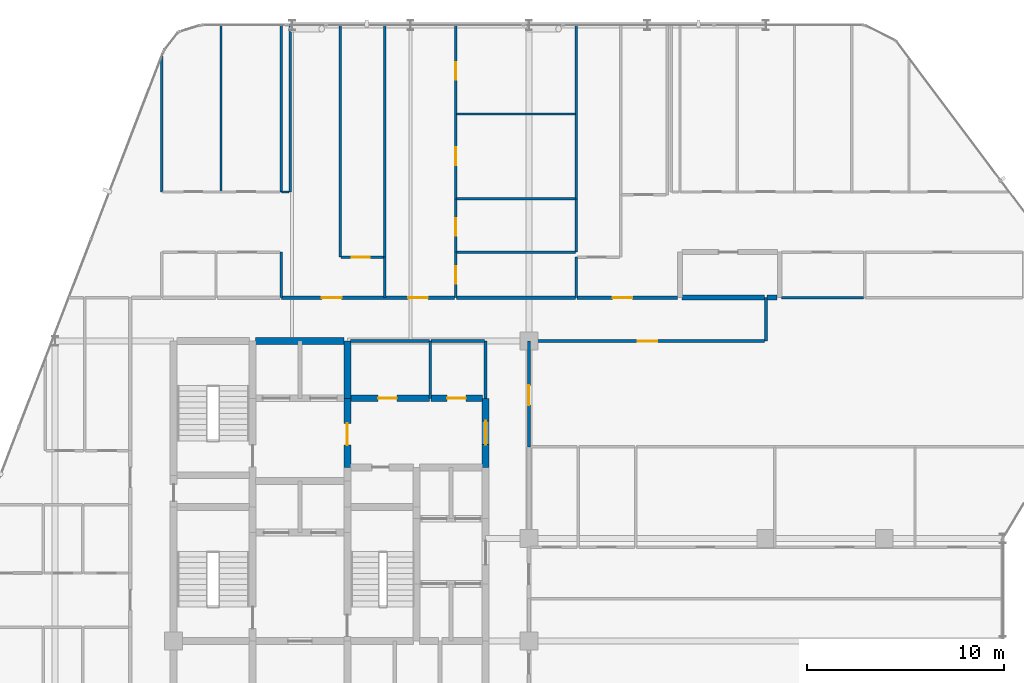
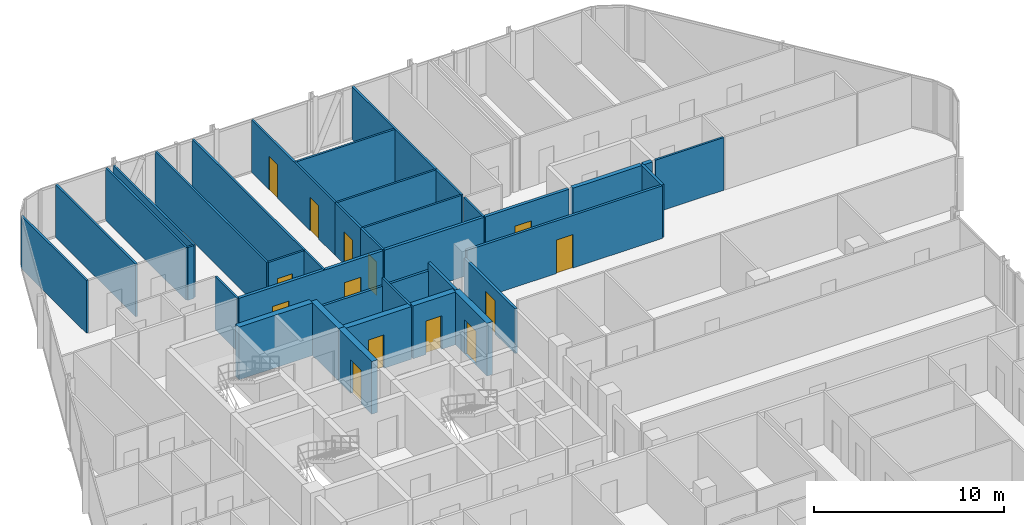
# One storey, part 29 of 31: 38 walls, 14 doors, 14 openings.
"""IFC4 building model written with IfcOpenShell, lengths in metres."""

from ifc_helpers import new_model, si_unit, direction, frame, frame_2d, origin, place, context, subcontext, project, spatial, rectangle, extrude, material, layer, layer_set, type_object, element, fill, save


model = new_model("IFC4")

# Units and contexts
model_context = context("Model", 3, precision=1e-05, world=origin(), true_north=direction((0.0, 1.0)))
body_context = subcontext(model_context, "Body", "Model", "MODEL_VIEW")
ifc_project = project(units=[si_unit("LENGTHUNIT", "METRE"), si_unit("AREAUNIT", "SQUARE_METRE"), si_unit("VOLUMEUNIT", "CUBIC_METRE"), si_unit("PLANEANGLEUNIT", "RADIAN"), si_unit("MASSUNIT", "GRAM", prefix="KILO")], contexts=[model_context])

# Site, building, storey
site_placement = place(None, origin())
site = spatial("IfcSite", under=ifc_project, at=site_placement, CompositionType="ELEMENT")
building_placement = place(site_placement, origin())
building = spatial("IfcBuilding", under=site, at=building_placement, Name="Keshet Zoharim Tower", CompositionType="ELEMENT")
storey_placement = place(building_placement, frame((0.0, 0.0, 133.5)))
storey = spatial("IfcBuildingStorey", under=building, at=storey_placement, Name="L32", CompositionType="ELEMENT", Elevation=133.5)

# Wall
ifc_material_1 = material(Name="Gypsum Plasterboard", Category="gypsum")
ifc_layer_1 = layer(ifc_material_1, 0.14990234375)
ifc_layer_set_1 = layer_set([ifc_layer_1], Name="Gypsum Plasterboard")
wall_type_1 = type_object("IfcWallType", Name="WL-CLIN-150", PredefinedType="STANDARD", material=ifc_layer_set_1)
wall_1_placement = place(storey_placement, frame((30.800048828125, 35.0, 0.0), z_axis=(0.0, 0.0, 1.0), x_axis=(0.0, 1.0, 0.0)))
element("IfcWall", 1, at=wall_1_placement, inside=storey, type_object=wall_type_1, Name="L32 Interior Wall 064", PredefinedType="STANDARD", context=body_context, shape_type="SweptSolid", body=[
    extrude(rectangle(XDim=2.89990234375, YDim=0.14990234375, at=frame_2d((1.449951171875, 0.0))), origin(), (0.0, 0.0, 1.0), 3.385009765625),
])

# Wall, opening, door
wall_2_placement = place(storey_placement, frame((33.0, 32.5400390625, 0.0), z_axis=(0.0, 0.0, 1.0), x_axis=(0.0, 1.0, 0.0)))
wall_2 = element("IfcWall", 2, at=wall_2_placement, inside=storey, type_object=wall_type_1, Name="L32 Interior Wall 071", PredefinedType="STANDARD", context=body_context, shape_type="SweptSolid", body=[
    extrude(rectangle(XDim=5.35986328125, YDim=0.14990234375, at=frame_2d((2.679931640625, 0.0))), origin(), (0.0, 0.0, 1.0), 2.885009765625),
])
opening_1_placement = place(wall_2_placement, frame((2.10888671875, 0.0, 0.0)))
opening_1 = element("IfcOpeningElement", 3, at=opening_1_placement, cuts=wall_2, Name="Opening D-F310", PredefinedType="OPENING", context=body_context, shape_type="SweptSolid", body=[
    extrude(rectangle(XDim=1.0, YDim=2.14990234375, at=frame_2d((0.5, 1.074951171875))), frame((0.0, 0.0849609375, 0.0), z_axis=(0.0, -1.0, 0.0), x_axis=(1.0, 0.0, 0.0)), (0.0, 0.0, 1.0), 0.169921875),
])
ifc_material_2 = material(Name="Hardwood Timber", Category="wood")
door_type_1 = type_object("IfcDoorType", Name="DR-FD30-100", OperationType="NOTDEFINED", PredefinedType="DOOR", material=ifc_material_2)
door_1_placement = place(opening_1_placement, origin())
door_1 = element("IfcDoor", 4, at=door_1_placement, inside=storey, type_object=door_type_1, Name="L32 North East Residents Services Suite Door 2", OperationType="SINGLE_SWING_LEFT", OverallHeight=2.14990234375, OverallWidth=1.0, PredefinedType="DOOR", context=body_context, shape_type="SweptSolid", body=[
    extrude(rectangle(XDim=1.0, YDim=2.14990234375, at=frame_2d((0.5, 1.074951171875))), frame((0.0, 0.02490234375, 0.0), z_axis=(0.0, -1.0, 0.0), x_axis=(1.0, 0.0, 0.0)), (0.0, 0.0, 1.0), 0.050048828125),
])
fill(opening_1, door_1)

# Walls
wall_3_placement = place(storey_placement, frame((45.0, 37.89990234375, 0.0), z_axis=(0.0, 0.0, 1.0), x_axis=(0.0, 1.0, 0.0)))
element("IfcWall", 5, at=wall_3_placement, inside=storey, type_object=wall_type_1, Name="L32 Interior Wall 092", PredefinedType="STANDARD", context=body_context, shape_type="SweptSolid", body=[
    extrude(rectangle(XDim=2.2001953125, YDim=0.14990234375, at=frame_2d((1.10009765625, 0.0))), origin(), (0.0, 0.0, 1.0), 3.385009765625),
])
wall_4_placement = place(storey_placement, frame((23.9599609375, 37.89990234375, 0.0), z_axis=(0.0, 0.0, 1.0), x_axis=(1.0, 0.0, 0.0)))
element("IfcWall", 6, at=wall_4_placement, inside=storey, type_object=wall_type_1, Name="L32 Interior Wall 180", PredefinedType="STANDARD", context=body_context, shape_type="SweptSolid", body=[
    extrude(rectangle(XDim=3.9951171875, YDim=0.14990234375, at=frame_2d((1.99755859375, 0.0))), origin(), (0.0, 0.0, 1.0), 2.885009765625),
])
wall_5_placement = place(storey_placement, frame((28.044921875, 37.89990234375, 0.0), z_axis=(0.0, 0.0, 1.0), x_axis=(1.0, 0.0, 0.0)))
element("IfcWall", 7, at=wall_5_placement, inside=storey, type_object=wall_type_1, Name="L32 Interior Wall 181", PredefinedType="STANDARD", context=body_context, shape_type="SweptSolid", body=[
    extrude(rectangle(XDim=2.695068359375, YDim=0.14990234375, at=frame_2d((1.34765625, 0.0))), origin(), (0.0, 0.0, 1.0), 2.885009765625),
])

# Wall, opening, door
wall_6_placement = place(storey_placement, frame((33.06005859375, 37.89990234375, 0.0), z_axis=(0.0, 0.0, 1.0), x_axis=(1.0, 0.0, 0.0)))
wall_6 = element("IfcWall", 8, at=wall_6_placement, inside=storey, type_object=wall_type_1, Name="L32 Interior Wall 182", PredefinedType="STANDARD", context=body_context, shape_type="SweptSolid", body=[
    extrude(rectangle(XDim=11.87890625, YDim=0.14990234375, at=frame_2d((5.939453125, 0.0))), origin(), (0.0, 0.0, 1.0), 3.385009765625),
])
opening_2_placement = place(wall_6_placement, frame((5.43896484375, 0.0, 0.0)))
opening_2 = element("IfcOpeningElement", 9, at=opening_2_placement, cuts=wall_6, Name="Opening D-F310", PredefinedType="OPENING", context=body_context, shape_type="SweptSolid", body=[
    extrude(rectangle(XDim=1.0, YDim=2.14990234375, at=frame_2d((0.5, 1.074951171875))), frame((0.0, 0.0849609375, 0.0), z_axis=(0.0, -1.0, 0.0), x_axis=(1.0, 0.0, 0.0)), (0.0, 0.0, 1.0), 0.169921875),
])
door_2_placement = place(opening_2_placement, origin())
door_2 = element("IfcDoor", 10, at=door_2_placement, inside=storey, type_object=door_type_1, Name="L32 North East Residents Services Suite Door 1", OperationType="SINGLE_SWING_LEFT", OverallHeight=2.14990234375, OverallWidth=1.0, PredefinedType="DOOR", context=body_context, shape_type="SweptSolid", body=[
    extrude(rectangle(XDim=1.0, YDim=2.14990234375, at=frame_2d((0.5, 1.074951171875))), frame((0.0, 0.02490234375, 0.0), z_axis=(0.0, -1.0, 0.0), x_axis=(1.0, 0.0, 0.0)), (0.0, 0.0, 1.0), 0.050048828125),
])
fill(opening_2, door_2)

ifc_material_3 = material(Name="Concrete C60/75", Category="concrete")
ifc_layer_2 = layer(ifc_material_3, 0.35009765625)
ifc_layer_set_2 = layer_set([ifc_layer_2], Name="Concrete C60/75")
wall_type_2 = type_object("IfcWallType", Name="WL-CORE-350", PredefinedType="SHEAR", material=ifc_layer_set_2)
wall_7_placement = place(storey_placement, frame((23.800048828125, 31.5, 0.0), z_axis=(0.0, 0.0, 1.0), x_axis=(0.0, 1.0, 0.0)))
wall_7 = element("IfcWall", 11, at=wall_7_placement, inside=storey, type_object=wall_type_2, Name="L32 Core Shear Wall 042", PredefinedType="SHEAR", context=body_context, shape_type="SweptSolid", body=[
    extrude(rectangle(XDim=3.5, YDim=0.35009765625, at=frame_2d((1.75, 0.0))), origin(), (0.0, 0.0, 1.0), 3.385009765625),
])
opening_3_placement = place(wall_7_placement, frame((1.126953125, 0.0, 0.0)))
opening_3 = element("IfcOpeningElement", 12, at=opening_3_placement, cuts=wall_7, Name="Opening D-F611", PredefinedType="OPENING", context=body_context, shape_type="SweptSolid", body=[
    extrude(rectangle(XDim=1.10009765625, YDim=2.14990234375, at=frame_2d((0.550048828125, 1.074951171875))), frame((0.0, 0.18505859375, 0.0), z_axis=(0.0, -1.0, 0.0), x_axis=(1.0, 0.0, 0.0)), (0.0, 0.0, 1.0), 0.3701171875),
])
door_type_2 = type_object("IfcDoorType", Name="DR-FD60-110", OperationType="NOTDEFINED", PredefinedType="DOOR", material=ifc_material_2)
door_3_placement = place(opening_3_placement, origin())
door_3 = element("IfcDoor", 13, at=door_3_placement, inside=storey, type_object=door_type_2, Name="L32 Firefighting Lobby Fire Door", OperationType="SINGLE_SWING_RIGHT", OverallHeight=2.14990234375, OverallWidth=1.10009765625, PredefinedType="DOOR", context=body_context, shape_type="SweptSolid", body=[
    extrude(rectangle(XDim=1.10009765625, YDim=2.14990234375, at=frame_2d((0.550048828125, 1.074951171875))), frame((0.0, 0.02490234375, 0.0), z_axis=(0.0, -1.0, 0.0), x_axis=(1.0, 0.0, 0.0)), (0.0, 0.0, 1.0), 0.050048828125),
])
fill(opening_3, door_3)

# Wall
wall_8_placement = place(storey_placement, frame((23.800048828125, 35.0, 0.0), z_axis=(0.0, 0.0, 1.0), x_axis=(0.0, 1.0, 0.0)))
element("IfcWall", 14, at=wall_8_placement, inside=storey, type_object=wall_type_2, Name="L32 Core Shear Wall 043", PredefinedType="SHEAR", context=body_context, shape_type="SweptSolid", body=[
    extrude(rectangle(XDim=2.89990234375, YDim=0.35009765625, at=frame_2d((1.449951171875, 0.0))), origin(), (0.0, 0.0, 1.0), 3.385009765625),
])

# Wall, opening, door
wall_9_placement = place(storey_placement, frame((30.800048828125, 31.5, 0.0), z_axis=(0.0, 0.0, 1.0), x_axis=(0.0, 1.0, 0.0)))
wall_9 = element("IfcWall", 15, at=wall_9_placement, inside=storey, type_object=wall_type_2, Name="L32 Core Shear Wall 063", PredefinedType="SHEAR", context=body_context, shape_type="SweptSolid", body=[
    extrude(rectangle(XDim=3.5, YDim=0.35009765625, at=frame_2d((1.75, 0.0))), origin(), (0.0, 0.0, 1.0), 3.385009765625),
])
opening_4_placement = place(wall_9_placement, frame((1.14990234375, 0.0, 0.0)))
opening_4 = element("IfcOpeningElement", 16, at=opening_4_placement, cuts=wall_9, Name="Opening D-F612", PredefinedType="OPENING", context=body_context, shape_type="SweptSolid", body=[
    extrude(rectangle(XDim=1.199951171875, YDim=2.199951171875, at=frame_2d((0.60009765625, 1.10009765625))), frame((0.0, 0.18505859375, 0.0), z_axis=(0.0, -1.0, 0.0), x_axis=(1.0, 0.0, 0.0)), (0.0, 0.0, 1.0), 0.3701171875),
])
door_type_3 = type_object("IfcDoorType", Name="DR-FD60-120", OperationType="NOTDEFINED", PredefinedType="DOOR", material=ifc_material_2)
door_4_placement = place(opening_4_placement, origin())
door_4 = element("IfcDoor", 17, at=door_4_placement, inside=storey, type_object=door_type_3, Name="L32 North Lift Lobby East Fire Door", OperationType="SINGLE_SWING_RIGHT", OverallHeight=2.199951171875, OverallWidth=1.199951171875, PredefinedType="DOOR", context=body_context, shape_type="SweptSolid", body=[
    extrude(rectangle(XDim=1.199951171875, YDim=2.199951171875, at=frame_2d((0.60009765625, 1.10009765625))), frame((0.0, 0.02490234375, 0.0), z_axis=(0.0, -1.0, 0.0), x_axis=(1.0, 0.0, 0.0)), (0.0, 0.0, 1.0), 0.050048828125),
])
fill(opening_4, door_4)

wall_10_placement = place(storey_placement, frame((23.9599609375, 35.0, 0.0), z_axis=(0.0, 0.0, 1.0), x_axis=(1.0, 0.0, 0.0)))
wall_10 = element("IfcWall", 18, at=wall_10_placement, inside=storey, type_object=wall_type_2, Name="L32 Core Shear Wall 176", PredefinedType="SHEAR", context=body_context, shape_type="SweptSolid", body=[
    extrude(rectangle(XDim=3.9951171875, YDim=0.35009765625, at=frame_2d((1.99755859375, 0.0))), origin(), (0.0, 0.0, 1.0), 3.385009765625),
])
opening_5_placement = place(wall_10_placement, frame((1.39306640625, 0.0, 0.0)))
opening_5 = element("IfcOpeningElement", 19, at=opening_5_placement, cuts=wall_10, Name="Opening D-F695", PredefinedType="OPENING", context=body_context, shape_type="SweptSolid", body=[
    extrude(rectangle(XDim=0.949951171875, YDim=2.14990234375, at=frame_2d((0.47509765625, 1.074951171875))), frame((0.0, 0.18505859375, 0.0), z_axis=(0.0, -1.0, 0.0), x_axis=(1.0, 0.0, 0.0)), (0.0, 0.0, 1.0), 0.3701171875),
])
door_type_4 = type_object("IfcDoorType", Name="DR-FD60-095", OperationType="NOTDEFINED", PredefinedType="DOOR", material=ifc_material_2)
door_5_placement = place(opening_5_placement, frame((0.949951171875, 0.0, 0.0), z_axis=(0.0, 0.0, 1.0), x_axis=(-1.0, 0.0, 0.0)))
door_5 = element("IfcDoor", 20, at=door_5_placement, inside=storey, type_object=door_type_4, Name="L32 Laundry Room Door", OperationType="SINGLE_SWING_LEFT", OverallHeight=2.14990234375, OverallWidth=0.949951171875, PredefinedType="DOOR", context=body_context, shape_type="SweptSolid", body=[
    extrude(rectangle(XDim=0.949951171875, YDim=2.14990234375, at=frame_2d((0.47509765625, 1.074951171875))), frame((0.0, 0.02490234375, 0.0), z_axis=(0.0, -1.0, 0.0), x_axis=(1.0, 0.0, 0.0)), (0.0, 0.0, 1.0), 0.050048828125),
])
fill(opening_5, door_5)

wall_11_placement = place(storey_placement, frame((28.044921875, 35.0, 0.0), z_axis=(0.0, 0.0, 1.0), x_axis=(1.0, 0.0, 0.0)))
wall_11 = element("IfcWall", 21, at=wall_11_placement, inside=storey, type_object=wall_type_2, Name="L32 Core Shear Wall 177", PredefinedType="SHEAR", context=body_context, shape_type="SweptSolid", body=[
    extrude(rectangle(XDim=2.594970703125, YDim=0.35009765625, at=frame_2d((1.29736328125, 0.0))), origin(), (0.0, 0.0, 1.0), 3.385009765625),
])
opening_6_placement = place(wall_11_placement, frame((0.805908203125, 0.0, 0.0)))
opening_6 = element("IfcOpeningElement", 22, at=opening_6_placement, cuts=wall_11, Name="Opening D-F695", PredefinedType="OPENING", context=body_context, shape_type="SweptSolid", body=[
    extrude(rectangle(XDim=0.949951171875, YDim=2.14990234375, at=frame_2d((0.47509765625, 1.074951171875))), frame((0.0, 0.18505859375, 0.0), z_axis=(0.0, -1.0, 0.0), x_axis=(1.0, 0.0, 0.0)), (0.0, 0.0, 1.0), 0.3701171875),
])
door_6_placement = place(opening_6_placement, frame((0.949951171875, 0.0, 0.0), z_axis=(0.0, 0.0, 1.0), x_axis=(-1.0, 0.0, 0.0)))
door_6 = element("IfcDoor", 23, at=door_6_placement, inside=storey, type_object=door_type_4, Name="L32 Quiet Study Room Door", OperationType="SINGLE_SWING_RIGHT", OverallHeight=2.14990234375, OverallWidth=0.949951171875, PredefinedType="DOOR", context=body_context, shape_type="SweptSolid", body=[
    extrude(rectangle(XDim=0.949951171875, YDim=2.14990234375, at=frame_2d((0.47509765625, 1.074951171875))), frame((0.0, 0.02490234375, 0.0), z_axis=(0.0, -1.0, 0.0), x_axis=(1.0, 0.0, 0.0)), (0.0, 0.0, 1.0), 0.050048828125),
])
fill(opening_6, door_6)

# Wall
wall_12_placement = place(storey_placement, frame((19.159912109375, 37.89990234375, 0.0), z_axis=(0.0, 0.0, 1.0), x_axis=(1.0, 0.0, 0.0)))
element("IfcWall", 24, at=wall_12_placement, inside=storey, type_object=wall_type_2, Name="L32 Core Shear Wall 179", PredefinedType="SHEAR", context=body_context, shape_type="SweptSolid", body=[
    extrude(rectangle(XDim=4.47998046875, YDim=0.35009765625, at=frame_2d((2.239990234375, 0.0))), origin(), (0.0, 0.0, 1.0), 3.385009765625),
])

# Wall, openings, doors
ifc_layer_3 = layer(ifc_material_1, 0.179931640625)
ifc_layer_set_3 = layer_set([ifc_layer_3], Name="Gypsum Plasterboard")
wall_type_3 = type_object("IfcWallType", Name="WL-CORR-180", PredefinedType="STANDARD", material=ifc_layer_set_3)
wall_13_placement = place(storey_placement, frame((20.47509765625, 40.10009765625, 0.0), z_axis=(0.0, 0.0, 1.0), x_axis=(1.0, 0.0, 0.0)))
wall_13 = element("IfcWall", 25, at=wall_13_placement, inside=storey, type_object=wall_type_3, Name="L32 Interior Wall 188", PredefinedType="STANDARD", context=body_context, shape_type="SweptSolid", body=[
    extrude(rectangle(XDim=8.760009765625, YDim=0.179931640625, at=frame_2d((4.3798828125, 0.0))), origin(), (0.0, 0.0, 1.0), 3.385009765625),
])
opening_7_placement = place(wall_13_placement, frame((2.034912109375, 0.0, 0.0)))
opening_7 = element("IfcOpeningElement", 26, at=opening_7_placement, cuts=wall_13, Name="Opening D-F310", PredefinedType="OPENING", context=body_context, shape_type="SweptSolid", body=[
    extrude(rectangle(XDim=1.0, YDim=2.14990234375, at=frame_2d((0.5, 1.074951171875))), frame((0.0, 0.10009765625, 0.0), z_axis=(0.0, -1.0, 0.0), x_axis=(1.0, 0.0, 0.0)), (0.0, 0.0, 1.0), 0.199951171875),
])
opening_8_placement = place(wall_13_placement, frame((6.408935546875, 0.0, 0.0)))
opening_8 = element("IfcOpeningElement", 27, at=opening_8_placement, cuts=wall_13, Name="Opening D-F310", PredefinedType="OPENING", context=body_context, shape_type="SweptSolid", body=[
    extrude(rectangle(XDim=1.0, YDim=2.14990234375, at=frame_2d((0.5, 1.074951171875))), frame((0.0, 0.10009765625, 0.0), z_axis=(0.0, -1.0, 0.0), x_axis=(1.0, 0.0, 0.0)), (0.0, 0.0, 1.0), 0.199951171875),
])
door_7_placement = place(opening_7_placement, origin())
door_7 = element("IfcDoor", 28, at=door_7_placement, inside=storey, type_object=door_type_1, Name="Apartment 3205 Entrance Door", OperationType="SINGLE_SWING_RIGHT", OverallHeight=2.14990234375, OverallWidth=1.0, PredefinedType="DOOR", context=body_context, shape_type="SweptSolid", body=[
    extrude(rectangle(XDim=1.0, YDim=2.14990234375, at=frame_2d((0.5, 1.074951171875))), frame((0.0, 0.02490234375, 0.0), z_axis=(0.0, -1.0, 0.0), x_axis=(1.0, 0.0, 0.0)), (0.0, 0.0, 1.0), 0.050048828125),
])
fill(opening_7, door_7)
door_8_placement = place(opening_8_placement, origin())
door_8 = element("IfcDoor", 29, at=door_8_placement, inside=storey, type_object=door_type_1, Name="Apartment 3206 Entrance Door", OperationType="SINGLE_SWING_LEFT", OverallHeight=2.14990234375, OverallWidth=1.0, PredefinedType="DOOR", context=body_context, shape_type="SweptSolid", body=[
    extrude(rectangle(XDim=1.0, YDim=2.14990234375, at=frame_2d((0.5, 1.074951171875))), frame((0.0, 0.02490234375, 0.0), z_axis=(0.0, -1.0, 0.0), x_axis=(1.0, 0.0, 0.0)), (0.0, 0.0, 1.0), 0.050048828125),
])
fill(opening_8, door_8)

# Wall
wall_14_placement = place(storey_placement, frame((29.324951171875, 40.10009765625, 0.0), z_axis=(0.0, 0.0, 1.0), x_axis=(1.0, 0.0, 0.0)))
element("IfcWall", 30, at=wall_14_placement, inside=storey, type_object=wall_type_3, Name="L32 Interior Wall 189", PredefinedType="STANDARD", context=body_context, shape_type="SweptSolid", body=[
    extrude(rectangle(XDim=6.02001953125, YDim=0.179931640625, at=frame_2d((3.010009765625, 0.0))), origin(), (0.0, 0.0, 1.0), 3.385009765625),
])

# Wall, opening, door
wall_15_placement = place(storey_placement, frame((35.43505859375, 40.10009765625, 0.0), z_axis=(0.0, 0.0, 1.0), x_axis=(1.0, 0.0, 0.0)))
wall_15 = element("IfcWall", 31, at=wall_15_placement, inside=storey, type_object=wall_type_3, Name="L32 Interior Wall 190", PredefinedType="STANDARD", context=body_context, shape_type="SweptSolid", body=[
    extrude(rectangle(XDim=5.094970703125, YDim=0.179931640625, at=frame_2d((2.54736328125, 0.0))), origin(), (0.0, 0.0, 1.0), 3.385009765625),
])
opening_9_placement = place(wall_15_placement, frame((1.806884765625, 0.0, 0.0)))
opening_9 = element("IfcOpeningElement", 32, at=opening_9_placement, cuts=wall_15, Name="Opening D-F310", PredefinedType="OPENING", context=body_context, shape_type="SweptSolid", body=[
    extrude(rectangle(XDim=1.0, YDim=2.14990234375, at=frame_2d((0.5, 1.074951171875))), frame((0.0, 0.10009765625, 0.0), z_axis=(0.0, -1.0, 0.0), x_axis=(1.0, 0.0, 0.0)), (0.0, 0.0, 1.0), 0.199951171875),
])
door_9_placement = place(opening_9_placement, origin())
door_9 = element("IfcDoor", 33, at=door_9_placement, inside=storey, type_object=door_type_1, Name="Apartment 3207 Entrance Door", OperationType="SINGLE_SWING_RIGHT", OverallHeight=2.14990234375, OverallWidth=1.0, PredefinedType="DOOR", context=body_context, shape_type="SweptSolid", body=[
    extrude(rectangle(XDim=1.0, YDim=2.14990234375, at=frame_2d((0.5, 1.074951171875))), frame((0.0, 0.02490234375, 0.0), z_axis=(0.0, -1.0, 0.0), x_axis=(1.0, 0.0, 0.0)), (0.0, 0.0, 1.0), 0.050048828125),
])
fill(opening_9, door_9)

# Walls
ifc_material_4 = material(Name="Concrete C50/60", Category="concrete")
ifc_layer_4 = layer(ifc_material_4, 0.25)
ifc_layer_set_4 = layer_set([ifc_layer_4], Name="Concrete C50/60")
wall_type_4 = type_object("IfcWallType", Name="WL-MAMAD-250", PredefinedType="STANDARD", material=ifc_layer_set_4)
wall_16_placement = place(storey_placement, frame((40.75, 40.10009765625, 0.0), z_axis=(0.0, 0.0, 1.0), x_axis=(1.0, 0.0, 0.0)))
element("IfcWall", 34, at=wall_16_placement, inside=storey, type_object=wall_type_4, Name="L32 Interior Wall 191", PredefinedType="STANDARD", context=body_context, shape_type="SweptSolid", body=[
    extrude(rectangle(XDim=4.18994140625, YDim=0.25, at=frame_2d((2.094970703125, 0.0))), origin(), (0.0, 0.0, 1.0), 3.385009765625),
])
wall_17_placement = place(storey_placement, frame((45.06005859375, 40.10009765625, 0.0), z_axis=(0.0, 0.0, 1.0), x_axis=(1.0, 0.0, 0.0)))
element("IfcWall", 35, at=wall_17_placement, inside=storey, type_object=wall_type_4, Name="L32 Interior Wall 192", PredefinedType="STANDARD", context=body_context, shape_type="SweptSolid", body=[
    extrude(rectangle(XDim=0.514892578125, YDim=0.25, at=frame_2d((0.25732421875, 0.0))), origin(), (0.0, 0.0, 1.0), 3.385009765625),
])
ifc_layer_5 = layer(ifc_material_1, 0.1201171875)
ifc_layer_set_5 = layer_set([ifc_layer_5], Name="Gypsum Plasterboard")
wall_type_5 = type_object("IfcWallType", Name="WL-PART-120", PredefinedType="PARTITIONING", material=ifc_layer_set_5)
wall_18_placement = place(storey_placement, frame((14.39990234375, 45.449951171875, 0.0), z_axis=(0.0, 0.0, 1.0), x_axis=(0.0, 1.0, 0.0)))
element("IfcWall", 36, at=wall_18_placement, inside=storey, type_object=wall_type_5, Name="L32 Interior Wall 014", PredefinedType="PARTITIONING", context=body_context, shape_type="SweptSolid", body=[
    extrude(rectangle(XDim=6.880126953125, YDim=0.1201171875, at=frame_2d((3.43994140625, 0.0))), origin(), (0.0, 0.0, 1.0), 3.385009765625),
])
for number, where, z_axis, x_axis, name in (
    (37, (17.39990234375, 45.449951171875, 0.0), (0.0, 0.0, 1.0), (0.0, 1.0, 0.0), "L32 Interior Wall 022"),
    (38, (20.449951171875, 45.449951171875, 0.0), (0.0, 0.0, 1.0), (0.0, 1.0, 0.0), "L32 Interior Wall 031"),
    (39, (20.89990234375, 45.449951171875, 0.0), (0.0, 0.0, 1.0), (0.0, 1.0, 0.0), "L32 Interior Wall 032"),
):
    element("IfcWall", number, at=place(storey_placement, frame(where, z_axis=z_axis, x_axis=x_axis)), inside=storey, type_object=wall_type_5, Name=name, PredefinedType="PARTITIONING", context=body_context, shape_type="SweptSolid", body=[
        extrude(rectangle(XDim=8.43994140625, YDim=0.1201171875, at=frame_2d((4.219970703125, 0.0))), origin(), (0.0, 0.0, 1.0), 3.385009765625),
    ])
wall_19_placement = place(storey_placement, frame((23.449951171875, 42.14990234375, 0.0), z_axis=(0.0, 0.0, 1.0), x_axis=(0.0, 1.0, 0.0)))
element("IfcWall", 40, at=wall_19_placement, inside=storey, type_object=wall_type_5, Name="L32 Interior Wall 036", PredefinedType="PARTITIONING", context=body_context, shape_type="SweptSolid", body=[
    extrude(rectangle(XDim=11.739990234375, YDim=0.1201171875, at=frame_2d((5.8701171875, 0.0))), origin(), (0.0, 0.0, 1.0), 3.385009765625),
])
wall_20_placement = place(storey_placement, frame((25.699951171875, 40.10009765625, 0.0), z_axis=(0.0, 0.0, 1.0), x_axis=(0.0, 1.0, 0.0)))
element("IfcWall", 41, at=wall_20_placement, inside=storey, type_object=wall_type_5, Name="L32 Interior Wall 044", PredefinedType="PARTITIONING", context=body_context, shape_type="SweptSolid", body=[
    extrude(rectangle(XDim=2.0498046875, YDim=0.1201171875, at=frame_2d((1.02490234375, 0.0))), origin(), (0.0, 0.0, 1.0), 3.385009765625),
])
wall_21_placement = place(storey_placement, frame((25.699951171875, 42.14990234375, 0.0), z_axis=(0.0, 0.0, 1.0), x_axis=(0.0, 1.0, 0.0)))
element("IfcWall", 42, at=wall_21_placement, inside=storey, type_object=wall_type_5, Name="L32 Interior Wall 045", PredefinedType="PARTITIONING", context=body_context, shape_type="SweptSolid", body=[
    extrude(rectangle(XDim=11.739990234375, YDim=0.1201171875, at=frame_2d((5.8701171875, 0.0))), origin(), (0.0, 0.0, 1.0), 3.385009765625),
])
wall_22_placement = place(storey_placement, frame((28.0, 35.0, 0.0), z_axis=(0.0, 0.0, 1.0), x_axis=(0.0, 1.0, 0.0)))
element("IfcWall", 43, at=wall_22_placement, inside=storey, type_object=wall_type_5, Name="L32 Interior Wall 052", PredefinedType="PARTITIONING", context=body_context, shape_type="SweptSolid", body=[
    extrude(rectangle(XDim=2.89990234375, YDim=0.1201171875, at=frame_2d((1.449951171875, 0.0))), origin(), (0.0, 0.0, 1.0), 3.385009765625),
])

# Wall, opening, door
wall_23_placement = place(storey_placement, frame((29.300048828125, 40.10009765625, 0.0), z_axis=(0.0, 0.0, 1.0), x_axis=(0.0, 1.0, 0.0)))
wall_23 = element("IfcWall", 44, at=wall_23_placement, inside=storey, type_object=wall_type_5, Name="L32 Interior Wall 056", PredefinedType="PARTITIONING", context=body_context, shape_type="SweptSolid", body=[
    extrude(rectangle(XDim=2.2998046875, YDim=0.1201171875, at=frame_2d((1.14990234375, 0.0))), origin(), (0.0, 0.0, 1.0), 3.385009765625),
])
opening_10_placement = place(wall_23_placement, frame((0.699951171875, 0.0, 0.0)))
opening_10 = element("IfcOpeningElement", 45, at=opening_10_placement, cuts=wall_23, Name="Opening D-IN90", PredefinedType="OPENING", context=body_context, shape_type="SweptSolid", body=[
    extrude(rectangle(XDim=0.89990234375, YDim=2.14990234375, at=frame_2d((0.449951171875, 1.074951171875))), frame((0.0, 0.070068359375, 0.0), z_axis=(0.0, -1.0, 0.0), x_axis=(1.0, 0.0, 0.0)), (0.0, 0.0, 1.0), 0.14013671875),
])
door_type_5 = type_object("IfcDoorType", Name="DR-INT-090", OperationType="NOTDEFINED", PredefinedType="DOOR", material=ifc_material_2)
door_10_placement = place(opening_10_placement, origin())
door_10 = element("IfcDoor", 46, at=door_10_placement, inside=storey, type_object=door_type_5, Name="Apartment 3206 Kitchen Door", OperationType="SINGLE_SWING_LEFT", OverallHeight=2.14990234375, OverallWidth=0.89990234375, PredefinedType="DOOR", context=body_context, shape_type="SweptSolid", body=[
    extrude(rectangle(XDim=0.89990234375, YDim=2.14990234375, at=frame_2d((0.449951171875, 1.074951171875))), frame((0.0, 0.02490234375, 0.0), z_axis=(0.0, -1.0, 0.0), x_axis=(1.0, 0.0, 0.0)), (0.0, 0.0, 1.0), 0.050048828125),
])
fill(opening_10, door_10)

# Wall, openings, doors
wall_24_placement = place(storey_placement, frame((29.300048828125, 45.10009765625, 0.0), z_axis=(0.0, 0.0, 1.0), x_axis=(0.0, 1.0, 0.0)))
wall_24 = element("IfcWall", 47, at=wall_24_placement, inside=storey, type_object=wall_type_5, Name="L32 Interior Wall 058", PredefinedType="PARTITIONING", context=body_context, shape_type="SweptSolid", body=[
    extrude(rectangle(XDim=8.789794921875, YDim=0.1201171875, at=frame_2d((4.39501953125, 0.0))), origin(), (0.0, 0.0, 1.0), 3.385009765625),
])
opening_11_placement = place(wall_24_placement, frame((1.7119140625, 0.0, 0.0)))
opening_11 = element("IfcOpeningElement", 48, at=opening_11_placement, cuts=wall_24, Name="Opening D-IN90", PredefinedType="OPENING", context=body_context, shape_type="SweptSolid", body=[
    extrude(rectangle(XDim=0.89990234375, YDim=2.14990234375, at=frame_2d((0.449951171875, 1.074951171875))), frame((0.0, 0.070068359375, 0.0), z_axis=(0.0, -1.0, 0.0), x_axis=(1.0, 0.0, 0.0)), (0.0, 0.0, 1.0), 0.14013671875),
])
opening_12_placement = place(wall_24_placement, frame((6.030029296875, 0.0, 0.0)))
opening_12 = element("IfcOpeningElement", 49, at=opening_12_placement, cuts=wall_24, Name="Opening D-IN90", PredefinedType="OPENING", context=body_context, shape_type="SweptSolid", body=[
    extrude(rectangle(XDim=0.89990234375, YDim=2.14990234375, at=frame_2d((0.449951171875, 1.074951171875))), frame((0.0, 0.070068359375, 0.0), z_axis=(0.0, -1.0, 0.0), x_axis=(1.0, 0.0, 0.0)), (0.0, 0.0, 1.0), 0.14013671875),
])
door_11_placement = place(opening_11_placement, origin())
door_11 = element("IfcDoor", 50, at=door_11_placement, inside=storey, type_object=door_type_5, Name="Apartment 3206 Bedroom 1 Door", OperationType="SINGLE_SWING_LEFT", OverallHeight=2.14990234375, OverallWidth=0.89990234375, PredefinedType="DOOR", context=body_context, shape_type="SweptSolid", body=[
    extrude(rectangle(XDim=0.89990234375, YDim=2.14990234375, at=frame_2d((0.449951171875, 1.074951171875))), frame((0.0, 0.02490234375, 0.0), z_axis=(0.0, -1.0, 0.0), x_axis=(1.0, 0.0, 0.0)), (0.0, 0.0, 1.0), 0.050048828125),
])
fill(opening_11, door_11)
door_12_placement = place(opening_12_placement, origin())
door_12 = element("IfcDoor", 51, at=door_12_placement, inside=storey, type_object=door_type_5, Name="Apartment 3206 Bedroom 2 Door", OperationType="SINGLE_SWING_RIGHT", OverallHeight=2.14990234375, OverallWidth=0.89990234375, PredefinedType="DOOR", context=body_context, shape_type="SweptSolid", body=[
    extrude(rectangle(XDim=0.89990234375, YDim=2.14990234375, at=frame_2d((0.449951171875, 1.074951171875))), frame((0.0, 0.02490234375, 0.0), z_axis=(0.0, -1.0, 0.0), x_axis=(1.0, 0.0, 0.0)), (0.0, 0.0, 1.0), 0.050048828125),
])
fill(opening_12, door_12)

# Walls
wall_25_placement = place(storey_placement, frame((35.39990234375, 40.10009765625, 0.0), z_axis=(0.0, 0.0, 1.0), x_axis=(0.0, 1.0, 0.0)))
element("IfcWall", 52, at=wall_25_placement, inside=storey, type_object=wall_type_5, Name="L32 Interior Wall 073", PredefinedType="PARTITIONING", context=body_context, shape_type="SweptSolid", body=[
    extrude(rectangle(XDim=2.0498046875, YDim=0.1201171875, at=frame_2d((1.02490234375, 0.0))), origin(), (0.0, 0.0, 1.0), 3.385009765625),
])
wall_26_placement = place(storey_placement, frame((35.39990234375, 45.10009765625, 0.0), z_axis=(0.0, 0.0, 1.0), x_axis=(0.0, 1.0, 0.0)))
element("IfcWall", 53, at=wall_26_placement, inside=storey, type_object=wall_type_5, Name="L32 Interior Wall 075", PredefinedType="PARTITIONING", context=body_context, shape_type="SweptSolid", body=[
    extrude(rectangle(XDim=8.789794921875, YDim=0.1201171875, at=frame_2d((4.39501953125, 0.0))), origin(), (0.0, 0.0, 1.0), 3.385009765625),
])

# Wall, opening, door
wall_27_placement = place(storey_placement, frame((23.47509765625, 42.14990234375, 0.0), z_axis=(0.0, 0.0, 1.0), x_axis=(1.0, 0.0, 0.0)))
wall_27 = element("IfcWall", 54, at=wall_27_placement, inside=storey, type_object=wall_type_5, Name="L32 Interior Wall 196", PredefinedType="PARTITIONING", context=body_context, shape_type="SweptSolid", body=[
    extrude(rectangle(XDim=2.159912109375, YDim=0.1201171875, at=frame_2d((1.080078125, 0.0))), origin(), (0.0, 0.0, 1.0), 3.385009765625),
])
opening_13_placement = place(wall_27_placement, frame((0.552978515625, 0.0, 0.0)))
opening_13 = element("IfcOpeningElement", 55, at=opening_13_placement, cuts=wall_27, Name="Opening D-IN90", PredefinedType="OPENING", context=body_context, shape_type="SweptSolid", body=[
    extrude(rectangle(XDim=0.89990234375, YDim=2.14990234375, at=frame_2d((0.449951171875, 1.074951171875))), frame((0.0, 0.070068359375, 0.0), z_axis=(0.0, -1.0, 0.0), x_axis=(1.0, 0.0, 0.0)), (0.0, 0.0, 1.0), 0.14013671875),
])
door_13_placement = place(opening_13_placement, origin())
door_13 = element("IfcDoor", 56, at=door_13_placement, inside=storey, type_object=door_type_5, Name="Apartment 3205 Formal Dining Room Door", OperationType="SINGLE_SWING_LEFT", OverallHeight=2.14990234375, OverallWidth=0.89990234375, PredefinedType="DOOR", context=body_context, shape_type="SweptSolid", body=[
    extrude(rectangle(XDim=0.89990234375, YDim=2.14990234375, at=frame_2d((0.449951171875, 1.074951171875))), frame((0.0, 0.02490234375, 0.0), z_axis=(0.0, -1.0, 0.0), x_axis=(1.0, 0.0, 0.0)), (0.0, 0.0, 1.0), 0.050048828125),
])
fill(opening_13, door_13)

# Walls
wall_28_placement = place(storey_placement, frame((20.47509765625, 45.449951171875, 0.0), z_axis=(0.0, 0.0, 1.0), x_axis=(1.0, 0.0, 0.0)))
element("IfcWall", 57, at=wall_28_placement, inside=storey, type_object=wall_type_5, Name="L32 Interior Wall 207", PredefinedType="PARTITIONING", context=body_context, shape_type="SweptSolid", body=[
    extrude(rectangle(XDim=0.35986328125, YDim=0.1201171875, at=frame_2d((0.179931640625, 0.0))), origin(), (0.0, 0.0, 1.0), 3.385009765625),
])
wall_29_placement = place(storey_placement, frame((29.324951171875, 49.39990234375, 0.0), z_axis=(0.0, 0.0, 1.0), x_axis=(1.0, 0.0, 0.0)))
element("IfcWall", 58, at=wall_29_placement, inside=storey, type_object=wall_type_5, Name="L32 Interior Wall 210", PredefinedType="PARTITIONING", context=body_context, shape_type="SweptSolid", body=[
    extrude(rectangle(XDim=6.02001953125, YDim=0.1201171875, at=frame_2d((3.010009765625, 0.0))), origin(), (0.0, 0.0, 1.0), 3.385009765625),
])
ifc_layer_6 = layer(ifc_material_1, 0.1201171875)
ifc_layer_set_6 = layer_set([ifc_layer_6], Name="Gypsum Plasterboard")
wall_type_6 = type_object("IfcWallType", Name="WL-WET-120", PredefinedType="PARTITIONING", material=ifc_layer_set_6)
wall_30_placement = place(storey_placement, frame((20.449951171875, 40.10009765625, 0.0), z_axis=(0.0, 0.0, 1.0), x_axis=(0.0, 1.0, 0.0)))
element("IfcWall", 59, at=wall_30_placement, inside=storey, type_object=wall_type_6, Name="L32 Interior Wall 030", PredefinedType="PARTITIONING", context=body_context, shape_type="SweptSolid", body=[
    extrude(rectangle(XDim=2.2998046875, YDim=0.1201171875, at=frame_2d((1.14990234375, 0.0))), origin(), (0.0, 0.0, 1.0), 3.385009765625),
])

# Wall, opening, door
wall_31_placement = place(storey_placement, frame((29.300048828125, 42.39990234375, 0.0), z_axis=(0.0, 0.0, 1.0), x_axis=(0.0, 1.0, 0.0)))
wall_31 = element("IfcWall", 60, at=wall_31_placement, inside=storey, type_object=wall_type_6, Name="L32 Interior Wall 057", PredefinedType="PARTITIONING", context=body_context, shape_type="SweptSolid", body=[
    extrude(rectangle(XDim=2.7001953125, YDim=0.1201171875, at=frame_2d((1.35009765625, 0.0))), origin(), (0.0, 0.0, 1.0), 3.385009765625),
])
opening_14_placement = place(wall_31_placement, frame((0.827880859375, 0.0, 0.0)))
opening_14 = element("IfcOpeningElement", 61, at=opening_14_placement, cuts=wall_31, Name="Opening D-WT90", PredefinedType="OPENING", context=body_context, shape_type="SweptSolid", body=[
    extrude(rectangle(XDim=0.89990234375, YDim=2.10009765625, at=frame_2d((0.449951171875, 1.050048828125))), frame((0.0, 0.070068359375, 0.0), z_axis=(0.0, -1.0, 0.0), x_axis=(1.0, 0.0, 0.0)), (0.0, 0.0, 1.0), 0.14013671875),
])
door_type_6 = type_object("IfcDoorType", Name="DR-WET-090", OperationType="NOTDEFINED", PredefinedType="DOOR", material=ifc_material_2)
door_14_placement = place(opening_14_placement, origin())
door_14 = element("IfcDoor", 62, at=door_14_placement, inside=storey, type_object=door_type_6, Name="Apartment 3206 Bathroom Door", OperationType="SINGLE_SWING_RIGHT", OverallHeight=2.10009765625, OverallWidth=0.89990234375, PredefinedType="DOOR", context=body_context, shape_type="SweptSolid", body=[
    extrude(rectangle(XDim=0.89990234375, YDim=2.10009765625, at=frame_2d((0.449951171875, 1.050048828125))), frame((0.0, 0.02490234375, 0.0), z_axis=(0.0, -1.0, 0.0), x_axis=(1.0, 0.0, 0.0)), (0.0, 0.0, 1.0), 0.050048828125),
])
fill(opening_14, door_14)

# Walls
wall_32_placement = place(storey_placement, frame((35.39990234375, 42.39990234375, 0.0), z_axis=(0.0, 0.0, 1.0), x_axis=(0.0, 1.0, 0.0)))
element("IfcWall", 63, at=wall_32_placement, inside=storey, type_object=wall_type_6, Name="L32 Interior Wall 074", PredefinedType="PARTITIONING", context=body_context, shape_type="SweptSolid", body=[
    extrude(rectangle(XDim=2.7001953125, YDim=0.1201171875, at=frame_2d((1.35009765625, 0.0))), origin(), (0.0, 0.0, 1.0), 3.385009765625),
])
wall_33_placement = place(storey_placement, frame((45.794921875, 40.10009765625, 0.0), z_axis=(0.0, 0.0, 1.0), x_axis=(1.0, 0.0, 0.0)))
element("IfcWall", 64, at=wall_33_placement, inside=storey, type_object=wall_type_6, Name="L32 Interior Wall 193", PredefinedType="PARTITIONING", context=body_context, shape_type="SweptSolid", body=[
    extrude(rectangle(XDim=4.14501953125, YDim=0.1201171875, at=frame_2d((2.072509765625, 0.0))), origin(), (0.0, 0.0, 1.0), 3.385009765625),
])
for number, where, z_axis, x_axis, name in (
    (65, (29.324951171875, 42.39990234375, 0.0), (0.0, 0.0, 1.0), (1.0, 0.0, 0.0), "L32 Interior Wall 200"),
    (66, (29.324951171875, 45.10009765625, 0.0), (0.0, 0.0, 1.0), (1.0, 0.0, 0.0), "L32 Interior Wall 204"),
):
    element("IfcWall", number, at=place(storey_placement, frame(where, z_axis=z_axis, x_axis=x_axis)), inside=storey, type_object=wall_type_6, Name=name, PredefinedType="PARTITIONING", context=body_context, shape_type="SweptSolid", body=[
        extrude(rectangle(XDim=6.02001953125, YDim=0.1201171875, at=frame_2d((3.010009765625, 0.0))), origin(), (0.0, 0.0, 1.0), 3.385009765625),
    ])

save(model, "model.ifc")
